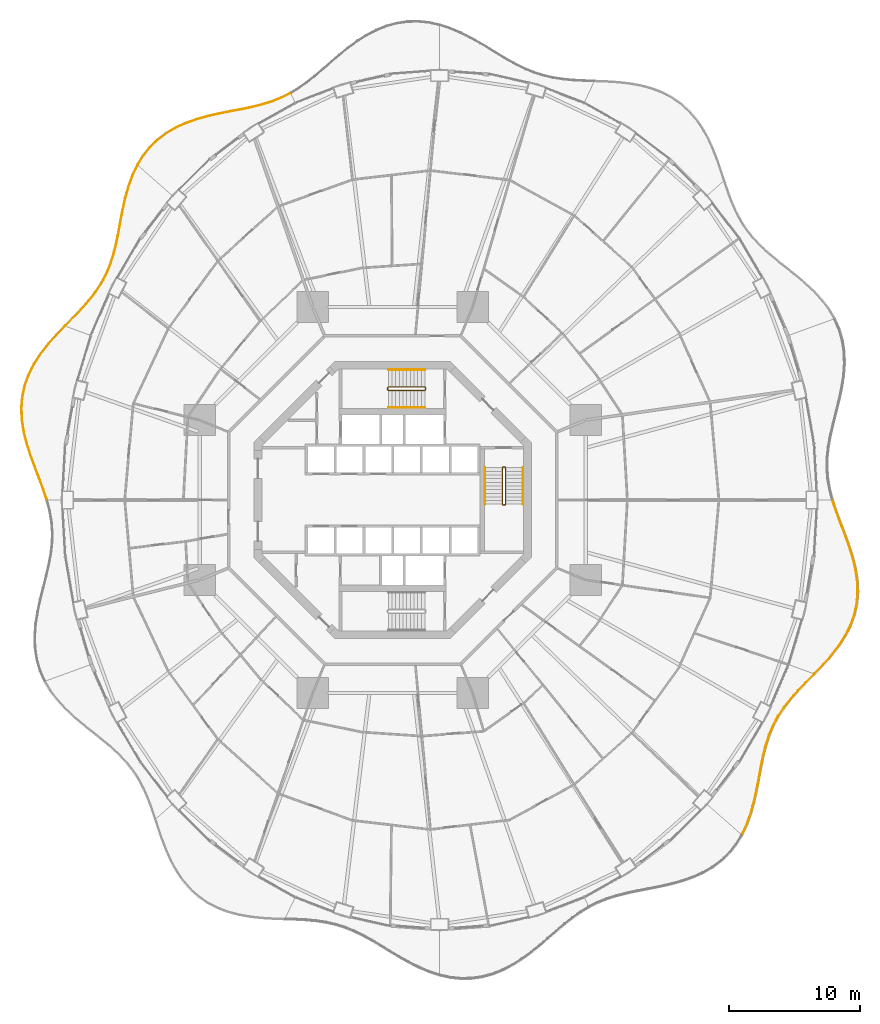
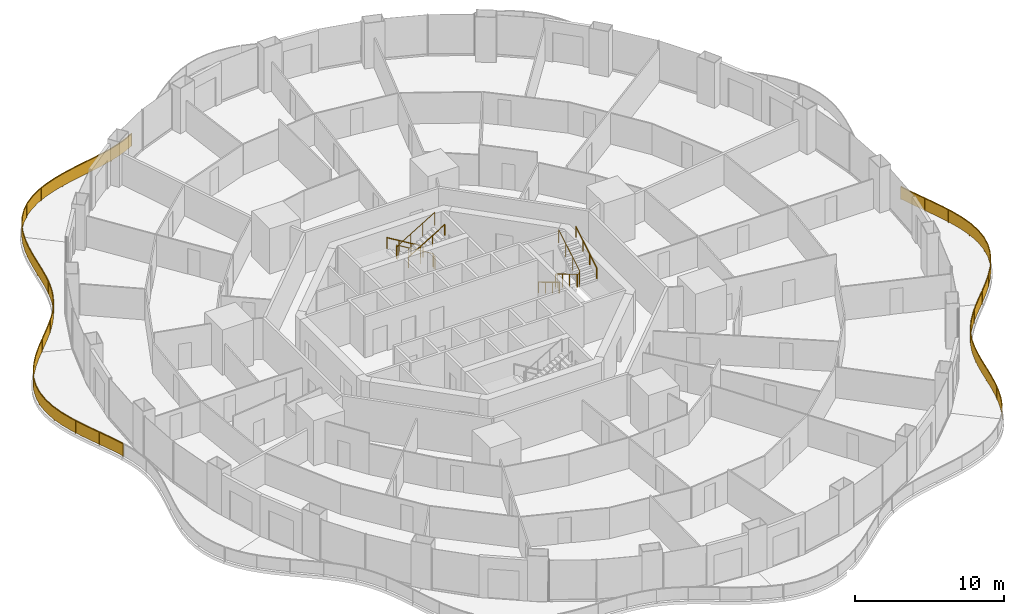
# One storey, part 21 of 22: 11 railings.
"""IFC4 building model written with IfcOpenShell, lengths in metres."""

from ifc_helpers import new_model, si_unit, direction, frame, origin, origin_2d, place, context, subcontext, project, spatial, polyline, rectangle, circle, outline, extrude, material, type_object, element, save


model = new_model("IFC4")

# Units and contexts
model_context = context("Model", 3, precision=1e-05, world=origin(), true_north=direction((0.0, 1.0)))
body_context = subcontext(model_context, "Body", "Model", "MODEL_VIEW")
ifc_project = project(units=[si_unit("LENGTHUNIT", "METRE"), si_unit("AREAUNIT", "SQUARE_METRE"), si_unit("VOLUMEUNIT", "CUBIC_METRE"), si_unit("PLANEANGLEUNIT", "RADIAN"), si_unit("MASSUNIT", "GRAM", prefix="KILO")], contexts=[model_context])

# Site, building, storey
site_placement = place(None, origin())
site = spatial("IfcSite", under=ifc_project, at=site_placement, CompositionType="ELEMENT")
building_placement = place(site_placement, origin())
building = spatial("IfcBuilding", under=site, at=building_placement, Name="Nagisa Residences", CompositionType="ELEMENT")
storey_placement = place(building_placement, frame((0.0, 0.0, 64.0)))
storey = spatial("IfcBuildingStorey", under=building, at=storey_placement, Name="L15", CompositionType="ELEMENT", Elevation=64.0)

# Railings
ifc_material_1 = material(Name="Stainless steel 316", Category="steel")
railing_type_1 = type_object("IfcRailingType", Name="BALCONY GUARD 1100", PredefinedType="BALUSTRADE", material=ifc_material_1)
railing_1_placement = place(storey_placement, frame((-7.846435546875, 31.146728515625, 0.0)))
element("IfcRailing", 1, at=railing_1_placement, inside=storey, type_object=railing_type_1, Name="guard:L15:bal05-0", PredefinedType="BALUSTRADE", context=body_context, shape_type="SweptSolid", body=[
    extrude(outline(polyline([(-0.63720703125, -0.34765625), (0.01123046875, -0.0224609375), (-0.01123046875, 0.0224609375), (-0.65771484375, -0.3017578125), (-1.37255859375, -0.58837890625), (-2.121337890625, -0.8251953125), (-2.90478515625, -1.022705078125), (-3.72021484375, -1.19482421875), (-4.54736328125, -1.3486328125), (-5.405029296875, -1.519287109375), (-6.26708984375, -1.71484375), (-7.1201171875, -1.951171875), (-7.94970703125, -2.24267578125), (-8.72900390625, -2.58935546875), (-9.46875, -3.019775390625), (-10.145263671875, -3.52783203125), (-10.749267578125, -4.1123046875), (-11.275390625, -4.768798828125), (-11.696044921875, -5.4501953125), (-11.653564453125, -5.4765625), (-11.234375, -4.797607421875), (-10.712158203125, -4.14599609375), (-10.112548828125, -3.56591796875), (-9.44091796875, -3.061767578125), (-8.7060546875, -2.6337890625), (-7.93115234375, -2.2890625), (-7.10498046875, -1.9990234375), (-6.2548828125, -1.76318359375), (-5.394775390625, -1.568115234375), (-4.5380859375, -1.39794921875), (-3.71044921875, -1.244140625), (-2.8935546875, -1.071533203125), (-2.107666015625, -0.87353515625), (-1.35546875, -0.6357421875), (-0.63720703125, -0.34765625)])), frame((0.0, 0.0, 1.050048828125)), (0.0, 0.0, 1.0), 0.050048828125),
    extrude(outline(polyline([(-0.64453125, -0.3310546875), (0.003173828125, -0.00634765625), (-0.003173828125, 0.00634765625), (-0.650390625, -0.318359375), (-1.366455078125, -0.60546875), (-2.116455078125, -0.842529296875), (-2.900634765625, -1.040283203125), (-3.716796875, -1.212646484375), (-4.5439453125, -1.366455078125), (-5.4013671875, -1.536865234375), (-6.2626953125, -1.732177734375), (-7.11474609375, -1.968505859375), (-7.943115234375, -2.25927734375), (-8.720703125, -2.605224609375), (-9.458740234375, -3.034912109375), (-10.133544921875, -3.54150390625), (-10.73583984375, -4.12451171875), (-11.260498046875, -4.779052734375), (-11.6806640625, -5.459716796875), (-11.6689453125, -5.467041015625), (-11.249267578125, -4.787353515625), (-10.7255859375, -4.1337890625), (-10.124267578125, -3.55224609375), (-9.450927734375, -3.046630859375), (-8.71435546875, -2.617919921875), (-7.937744140625, -2.2724609375), (-7.1103515625, -1.981689453125), (-6.25927734375, -1.745849609375), (-5.3984375, -1.550537109375), (-4.54150390625, -1.380126953125), (-3.7138671875, -1.226318359375), (-2.897705078125, -1.053955078125), (-2.112548828125, -0.856201171875), (-1.361572265625, -0.61865234375), (-0.64453125, -0.3310546875)])), frame((0.0, 0.0, 0.06005859375)), (0.0, 0.0, 1.0), 0.989990234375),
    extrude(rectangle(XDim=0.0400390625, YDim=0.0400390625, at=origin_2d()), origin(), (0.0, 0.0, 1.0), 1.050048828125),
    extrude(rectangle(XDim=0.0400390625, YDim=0.0400390625, at=origin_2d()), frame((-2.052001953125, -0.82958984375, 0.0)), (0.0, 0.0, 1.0), 1.050048828125),
    extrude(rectangle(XDim=0.0400390625, YDim=0.0400390625, at=origin_2d()), frame((-4.2158203125, -1.3125, 0.0)), (0.0, 0.0, 1.0), 1.050048828125),
    extrude(rectangle(XDim=0.0400390625, YDim=0.0400390625, at=origin_2d()), frame((-6.385009765625, -1.7734375, 0.0)), (0.0, 0.0, 1.0), 1.050048828125),
    extrude(rectangle(XDim=0.0400390625, YDim=0.0400390625, at=origin_2d()), frame((-8.475341796875, -2.50390625, 0.0)), (0.0, 0.0, 1.0), 1.050048828125),
    extrude(rectangle(XDim=0.0400390625, YDim=0.0400390625, at=origin_2d()), frame((-10.3134765625, -3.7255859375, 0.0)), (0.0, 0.0, 1.0), 1.050048828125),
    extrude(rectangle(XDim=0.0400390625, YDim=0.0400390625, at=origin_2d()), frame((-11.6748046875, -5.46337890625, 0.0)), (0.0, 0.0, 1.0), 1.050048828125),
])
railing_2_placement = place(storey_placement, frame((-19.5576171875, 25.615234375, 0.0)))
element("IfcRailing", 2, at=railing_2_placement, inside=storey, type_object=railing_type_1, Name="guard:L15:bal06-0", PredefinedType="BALUSTRADE", context=body_context, shape_type="SweptSolid", body=[
    extrude(outline(polyline([(-0.34130859375, -0.7802734375), (0.022705078125, -0.0107421875), (-0.022705078125, 0.0107421875), (-0.3876953125, -0.76123046875), (-0.698486328125, -1.6201171875), (-0.945556640625, -2.507568359375), (-1.1455078125, -3.4072265625), (-1.3173828125, -4.30419921875), (-1.47265625, -5.172119140625), (-1.6484375, -6.024658203125), (-1.855224609375, -6.84228515625), (-2.10888671875, -7.620361328125), (-2.421630859375, -8.359130859375), (-2.7939453125, -9.048095703125), (-3.2412109375, -9.719970703125), (-3.7529296875, -10.369384765625), (-4.319580078125, -11.006103515625), (-4.92724609375, -11.64111328125), (-5.527099609375, -12.250244140625), (-5.491455078125, -12.285400390625), (-4.89111328125, -11.67578125), (-4.282958984375, -11.040283203125), (-3.71435546875, -10.401611328125), (-3.20068359375, -9.749267578125), (-2.7509765625, -9.073974609375), (-2.376708984375, -8.380615234375), (-2.06201171875, -7.637939453125), (-1.806884765625, -6.85595703125), (-1.599609375, -6.035888671875), (-1.42333984375, -5.181396484375), (-1.26806640625, -4.3134765625), (-1.0966796875, -3.41748046875), (-0.897216796875, -2.519775390625), (-0.650634765625, -1.63525390625), (-0.34130859375, -0.7802734375)])), frame((0.0, 0.0, 1.050048828125)), (0.0, 0.0, 1.0), 0.050048828125),
    extrude(outline(polyline([(-0.358154296875, -0.7734375), (0.00634765625, -0.0029296875), (-0.00634765625, 0.0029296875), (-0.370849609375, -0.76806640625), (-0.68115234375, -1.62548828125), (-0.92822265625, -2.511962890625), (-1.1279296875, -3.410888671875), (-1.299560546875, -4.3076171875), (-1.454833984375, -5.175537109375), (-1.630859375, -6.02880859375), (-1.837890625, -6.84716796875), (-2.092041015625, -7.626708984375), (-2.405517578125, -8.366943359375), (-2.778564453125, -9.057373046875), (-3.2265625, -9.73046875), (-3.739013671875, -10.381103515625), (-4.306396484375, -11.0185546875), (-4.914306640625, -11.653564453125), (-5.51416015625, -12.262939453125), (-5.50439453125, -12.272705078125), (-4.904052734375, -11.663330078125), (-4.296142578125, -11.02783203125), (-3.728271484375, -10.389892578125), (-3.21533203125, -9.73876953125), (-2.766357421875, -9.064697265625), (-2.392822265625, -8.372802734375), (-2.078857421875, -7.631591796875), (-1.82421875, -6.85107421875), (-1.6171875, -6.03173828125), (-1.441162109375, -5.177978515625), (-1.285888671875, -4.31005859375), (-1.1142578125, -3.413818359375), (-0.91455078125, -2.515380859375), (-0.66796875, -1.6298828125), (-0.358154296875, -0.7734375)])), frame((0.0, 0.0, 0.06005859375)), (0.0, 0.0, 1.0), 0.989990234375),
    extrude(rectangle(XDim=0.0400390625, YDim=0.0400390625, at=origin_2d()), origin(), (0.0, 0.0, 1.0), 1.050048828125),
    extrude(rectangle(XDim=0.0400390625, YDim=0.0400390625, at=origin_2d()), frame((-0.816162109375, -2.13623046875, 0.0)), (0.0, 0.0, 1.0), 1.050048828125),
    extrude(rectangle(XDim=0.0400390625, YDim=0.0400390625, at=origin_2d()), frame((-1.304443359375, -4.37451171875, 0.0)), (0.0, 0.0, 1.0), 1.050048828125),
    extrude(rectangle(XDim=0.0400390625, YDim=0.0400390625, at=origin_2d()), frame((-1.7724609375, -6.6171875, 0.0)), (0.0, 0.0, 1.0), 1.050048828125),
    extrude(rectangle(XDim=0.0400390625, YDim=0.0400390625, at=origin_2d()), frame((-2.6025390625, -8.746337890625, 0.0)), (0.0, 0.0, 1.0), 1.050048828125),
    extrude(rectangle(XDim=0.0400390625, YDim=0.0400390625, at=origin_2d()), frame((-3.9306640625, -10.60693359375, 0.0)), (0.0, 0.0, 1.0), 1.050048828125),
    extrude(rectangle(XDim=0.0400390625, YDim=0.0400390625, at=origin_2d()), frame((-5.50927734375, -12.267822265625, 0.0)), (0.0, 0.0, 1.0), 1.050048828125),
])
railing_3_placement = place(storey_placement, frame((-25.12109375, 13.293701171875, 0.0)))
element("IfcRailing", 3, at=railing_3_placement, inside=storey, type_object=railing_type_1, Name="guard:L15:bal07-0", PredefinedType="BALUSTRADE", context=body_context, shape_type="SweptSolid", body=[
    extrude(outline(polyline([(-0.60302734375, -0.6640625), (0.01806640625, -0.017333984375), (-0.01806640625, 0.017333984375), (-0.6396484375, -0.6298828125), (-1.266845703125, -1.337646484375), (-1.844482421875, -2.07763671875), (-2.349853515625, -2.853515625), (-2.7626953125, -3.66455078125), (-3.0654296875, -4.4951171875), (-3.255615234375, -5.3671875), (-3.32763671875, -6.260009765625), (-3.287109375, -7.165771484375), (-3.1455078125, -8.07666015625), (-2.918701171875, -8.970458984375), (-2.632080078125, -9.86865234375), (-2.309326171875, -10.7529296875), (-1.976806640625, -11.620849609375), (-1.66064453125, -12.4716796875), (-1.396240234375, -13.267333984375), (-1.348876953125, -13.251708984375), (-1.61328125, -12.455078125), (-1.929931640625, -11.603271484375), (-2.262451171875, -10.7353515625), (-2.584716796875, -9.8525390625), (-2.870361328125, -8.956787109375), (-3.09619140625, -8.06640625), (-3.2373046875, -7.160888671875), (-3.27734375, -6.260986328125), (-3.205810546875, -5.37451171875), (-3.01708984375, -4.50927734375), (-2.716796875, -3.6845703125), (-2.306396484375, -2.87841796875), (-1.803955078125, -2.10693359375), (-1.228271484375, -1.369873046875), (-0.60302734375, -0.6640625)])), frame((0.0, 0.0, 1.050048828125)), (0.0, 0.0, 1.0), 0.050048828125),
    extrude(outline(polyline([(-0.6162109375, -0.651611328125), (0.005126953125, -0.0048828125), (-0.005126953125, 0.0048828125), (-0.62646484375, -0.642333984375), (-1.2529296875, -1.349365234375), (-1.829833984375, -2.088134765625), (-2.334228515625, -2.862548828125), (-2.74609375, -3.671875), (-3.048095703125, -4.500244140625), (-3.237548828125, -5.369873046875), (-3.3095703125, -6.26025390625), (-3.269287109375, -7.1640625), (-3.127685546875, -8.072998046875), (-2.9013671875, -8.965576171875), (-2.614990234375, -9.86279296875), (-2.29248046875, -10.74658203125), (-1.9599609375, -11.614501953125), (-1.6435546875, -12.4658203125), (-1.379150390625, -13.26171875), (-1.365966796875, -13.25732421875), (-1.63037109375, -12.4609375), (-1.94677734375, -11.609619140625), (-2.279296875, -10.74169921875), (-2.601806640625, -9.8583984375), (-2.8876953125, -8.961669921875), (-3.114013671875, -8.070068359375), (-3.255126953125, -7.16259765625), (-3.29541015625, -6.2607421875), (-3.223876953125, -5.371826171875), (-3.034423828125, -4.504150390625), (-2.7333984375, -3.67724609375), (-2.322021484375, -2.869384765625), (-1.818603515625, -2.096435546875), (-1.2421875, -1.358154296875), (-0.6162109375, -0.651611328125)])), frame((0.0, 0.0, 0.06005859375)), (0.0, 0.0, 1.0), 0.989990234375),
    extrude(rectangle(XDim=0.0400390625, YDim=0.0400390625, at=origin_2d()), origin(), (0.0, 0.0, 1.0), 1.050048828125),
    extrude(rectangle(XDim=0.0400390625, YDim=0.0400390625, at=origin_2d()), frame((-1.3955078125, -1.54345703125, 0.0)), (0.0, 0.0, 1.0), 1.050048828125),
    extrude(rectangle(XDim=0.0400390625, YDim=0.0400390625, at=origin_2d()), frame((-2.537841796875, -3.27783203125, 0.0)), (0.0, 0.0, 1.0), 1.050048828125),
    extrude(rectangle(XDim=0.0400390625, YDim=0.0400390625, at=origin_2d()), frame((-3.202392578125, -5.24072265625, 0.0)), (0.0, 0.0, 1.0), 1.050048828125),
    extrude(rectangle(XDim=0.0400390625, YDim=0.0400390625, at=origin_2d()), frame((-3.23876953125, -7.31396484375, 0.0)), (0.0, 0.0, 1.0), 1.050048828125),
    extrude(rectangle(XDim=0.0400390625, YDim=0.0400390625, at=origin_2d()), frame((-2.774658203125, -9.33984375, 0.0)), (0.0, 0.0, 1.0), 1.050048828125),
    extrude(rectangle(XDim=0.0400390625, YDim=0.0400390625, at=origin_2d()), frame((-2.0732421875, -11.299560546875, 0.0)), (0.0, 0.0, 1.0), 1.050048828125),
    extrude(rectangle(XDim=0.0400390625, YDim=0.0400390625, at=origin_2d()), frame((-1.37255859375, -13.259521484375, 0.0)), (0.0, 0.0, 1.0), 1.050048828125),
])
railing_4_placement = place(storey_placement, frame((26.7578125, -25.615234375, 0.0)))
element("IfcRailing", 4, at=railing_4_placement, inside=storey, type_object=railing_type_1, Name="guard:L15:bal14-0", PredefinedType="BALUSTRADE", context=body_context, shape_type="SweptSolid", body=[
    extrude(outline(polyline([(0.341064453125, 0.7802734375), (-0.022705078125, 0.0107421875), (0.022705078125, -0.0107421875), (0.387451171875, 0.76123046875), (0.6982421875, 1.6201171875), (0.9453125, 2.507568359375), (1.145263671875, 3.4072265625), (1.317138671875, 4.30419921875), (1.472412109375, 5.172119140625), (1.648193359375, 6.024658203125), (1.855224609375, 6.84228515625), (2.108642578125, 7.620361328125), (2.42138671875, 8.359130859375), (2.7939453125, 9.048095703125), (3.240966796875, 9.719970703125), (3.752685546875, 10.369384765625), (4.3193359375, 11.006103515625), (4.927001953125, 11.64111328125), (5.52685546875, 12.250244140625), (5.4912109375, 12.285400390625), (4.890869140625, 11.67578125), (4.28271484375, 11.040283203125), (3.714111328125, 10.401611328125), (3.200439453125, 9.749267578125), (2.7509765625, 9.073974609375), (2.37646484375, 8.380615234375), (2.061767578125, 7.637939453125), (1.806884765625, 6.85595703125), (1.599365234375, 6.035888671875), (1.423095703125, 5.181396484375), (1.267822265625, 4.3134765625), (1.096435546875, 3.41748046875), (0.89697265625, 2.519775390625), (0.650390625, 1.63525390625), (0.341064453125, 0.7802734375)])), frame((0.0, 0.0, 1.050048828125)), (0.0, 0.0, 1.0), 0.050048828125),
    extrude(outline(polyline([(0.357666015625, 0.7734375), (-0.00634765625, 0.0029296875), (0.00634765625, -0.0029296875), (0.370849609375, 0.76806640625), (0.680908203125, 1.62548828125), (0.927978515625, 2.511962890625), (1.127685546875, 3.410888671875), (1.29931640625, 4.3076171875), (1.45458984375, 5.175537109375), (1.630615234375, 6.02880859375), (1.837890625, 6.84716796875), (2.091796875, 7.626708984375), (2.4052734375, 8.366943359375), (2.778564453125, 9.057373046875), (3.226318359375, 9.73046875), (3.73876953125, 10.381103515625), (4.30615234375, 11.0185546875), (4.9140625, 11.653564453125), (5.513916015625, 12.262939453125), (5.504150390625, 12.272705078125), (4.90380859375, 11.663330078125), (4.2958984375, 11.02783203125), (3.72802734375, 10.389892578125), (3.215087890625, 9.73876953125), (2.766357421875, 9.064697265625), (2.392578125, 8.372802734375), (2.07861328125, 7.631591796875), (1.82421875, 6.85107421875), (1.616943359375, 6.03173828125), (1.44091796875, 5.177978515625), (1.28564453125, 4.31005859375), (1.114013671875, 3.413818359375), (0.914306640625, 2.515380859375), (0.667724609375, 1.6298828125), (0.357666015625, 0.7734375)])), frame((0.0, 0.0, 0.06005859375)), (0.0, 0.0, 1.0), 0.989990234375),
    extrude(rectangle(XDim=0.0400390625, YDim=0.0400390625, at=origin_2d()), origin(), (0.0, 0.0, 1.0), 1.050048828125),
    extrude(rectangle(XDim=0.0400390625, YDim=0.0400390625, at=origin_2d()), frame((0.81591796875, 2.136474609375, 0.0)), (0.0, 0.0, 1.0), 1.050048828125),
    extrude(rectangle(XDim=0.0400390625, YDim=0.0400390625, at=origin_2d()), frame((1.30419921875, 4.37451171875, 0.0)), (0.0, 0.0, 1.0), 1.050048828125),
    extrude(rectangle(XDim=0.0400390625, YDim=0.0400390625, at=origin_2d()), frame((1.7724609375, 6.6171875, 0.0)), (0.0, 0.0, 1.0), 1.050048828125),
    extrude(rectangle(XDim=0.0400390625, YDim=0.0400390625, at=origin_2d()), frame((2.602294921875, 8.746337890625, 0.0)), (0.0, 0.0, 1.0), 1.050048828125),
    extrude(rectangle(XDim=0.0400390625, YDim=0.0400390625, at=origin_2d()), frame((3.930419921875, 10.60693359375, 0.0)), (0.0, 0.0, 1.0), 1.050048828125),
    extrude(rectangle(XDim=0.0400390625, YDim=0.0400390625, at=origin_2d()), frame((5.509033203125, 12.267822265625, 0.0)), (0.0, 0.0, 1.0), 1.050048828125),
])
railing_5_placement = place(storey_placement, frame((32.321044921875, -13.293701171875, 0.0)))
element("IfcRailing", 5, at=railing_5_placement, inside=storey, type_object=railing_type_1, Name="guard:L15:bal15-0", PredefinedType="BALUSTRADE", context=body_context, shape_type="SweptSolid", body=[
    extrude(outline(polyline([(0.603271484375, 0.6640625), (-0.01806640625, 0.017333984375), (0.01806640625, -0.017333984375), (0.639892578125, 0.6298828125), (1.266845703125, 1.337646484375), (1.844482421875, 2.07763671875), (2.349853515625, 2.853515625), (2.7626953125, 3.66455078125), (3.065673828125, 4.4951171875), (3.255615234375, 5.3671875), (3.327880859375, 6.260009765625), (3.287109375, 7.165771484375), (3.1455078125, 8.07666015625), (2.918701171875, 8.970458984375), (2.632080078125, 9.86865234375), (2.309326171875, 10.7529296875), (1.976806640625, 11.620849609375), (1.66064453125, 12.4716796875), (1.396240234375, 13.267333984375), (1.348876953125, 13.251708984375), (1.61328125, 12.455078125), (1.929931640625, 11.603271484375), (2.262451171875, 10.7353515625), (2.584716796875, 9.8525390625), (2.870361328125, 8.956787109375), (3.09619140625, 8.06640625), (3.2373046875, 7.160888671875), (3.277587890625, 6.260986328125), (3.205810546875, 5.37451171875), (3.017333984375, 4.50927734375), (2.716796875, 3.6845703125), (2.306396484375, 2.87841796875), (1.803955078125, 2.10693359375), (1.228271484375, 1.369873046875), (0.603271484375, 0.6640625)])), frame((0.0, 0.0, 1.050048828125)), (0.0, 0.0, 1.0), 0.050048828125),
    extrude(outline(polyline([(0.616455078125, 0.651611328125), (-0.005126953125, 0.0048828125), (0.005126953125, -0.0048828125), (0.626708984375, 0.642333984375), (1.2529296875, 1.349365234375), (1.829833984375, 2.088134765625), (2.334228515625, 2.862548828125), (2.74609375, 3.671875), (3.04833984375, 4.500244140625), (3.237548828125, 5.369873046875), (3.309814453125, 6.26025390625), (3.269287109375, 7.1640625), (3.127685546875, 8.072998046875), (2.9013671875, 8.965576171875), (2.614990234375, 9.86279296875), (2.29248046875, 10.74658203125), (1.9599609375, 11.614501953125), (1.6435546875, 12.4658203125), (1.379150390625, 13.26171875), (1.365966796875, 13.25732421875), (1.63037109375, 12.4609375), (1.94677734375, 11.609619140625), (2.279296875, 10.74169921875), (2.601806640625, 9.8583984375), (2.8876953125, 8.961669921875), (3.114013671875, 8.070068359375), (3.255126953125, 7.16259765625), (3.295654296875, 6.2607421875), (3.223876953125, 5.371826171875), (3.03466796875, 4.504150390625), (2.7333984375, 3.67724609375), (2.322021484375, 2.869384765625), (1.818603515625, 2.096435546875), (1.2421875, 1.358154296875), (0.616455078125, 0.651611328125)])), frame((0.0, 0.0, 0.06005859375)), (0.0, 0.0, 1.0), 0.989990234375),
    extrude(rectangle(XDim=0.0400390625, YDim=0.0400390625, at=origin_2d()), origin(), (0.0, 0.0, 1.0), 1.050048828125),
    extrude(rectangle(XDim=0.0400390625, YDim=0.0400390625, at=origin_2d()), frame((1.3955078125, 1.54345703125, 0.0)), (0.0, 0.0, 1.0), 1.050048828125),
    extrude(rectangle(XDim=0.0400390625, YDim=0.0400390625, at=origin_2d()), frame((2.537841796875, 3.27783203125, 0.0)), (0.0, 0.0, 1.0), 1.050048828125),
    extrude(rectangle(XDim=0.0400390625, YDim=0.0400390625, at=origin_2d()), frame((3.202392578125, 5.24072265625, 0.0)), (0.0, 0.0, 1.0), 1.050048828125),
    extrude(rectangle(XDim=0.0400390625, YDim=0.0400390625, at=origin_2d()), frame((3.23876953125, 7.31396484375, 0.0)), (0.0, 0.0, 1.0), 1.050048828125),
    extrude(rectangle(XDim=0.0400390625, YDim=0.0400390625, at=origin_2d()), frame((2.774658203125, 9.33984375, 0.0)), (0.0, 0.0, 1.0), 1.050048828125),
    extrude(rectangle(XDim=0.0400390625, YDim=0.0400390625, at=origin_2d()), frame((2.0732421875, 11.29931640625, 0.0)), (0.0, 0.0, 1.0), 1.050048828125),
    extrude(rectangle(XDim=0.0400390625, YDim=0.0400390625, at=origin_2d()), frame((1.37255859375, 13.259521484375, 0.0)), (0.0, 0.0, 1.0), 1.050048828125),
])
ifc_material_2 = material(Name="Stainless steel", Category="steel")
railing_type_2 = type_object("IfcRailingType", Name="Stair guard 1100", PredefinedType="GUARDRAIL", material=ifc_material_2)
railing_6_placement = place(storey_placement, frame((8.599609375, 2.52490234375, 0.0)))
element("IfcRailing", 6, at=railing_6_placement, inside=storey, type_object=railing_type_2, Name="L15 ST-E stair guard 1", PredefinedType="GUARDRAIL", context=body_context, shape_type="SweptSolid", body=[
    extrude(circle(Radius=0.02392578125, at=origin_2d()), frame((0.0, 0.0, 1.076171875), z_axis=(-1.0, 0.0, 0.0), x_axis=(0.0, -1.0, 0.0)), (0.0, 0.0, 1.0), 0.14990234375),
    extrude(circle(Radius=0.02392578125, at=origin_2d()), frame((-0.14990234375, 0.0, 1.076171875), z_axis=(-0.27434429532, -0.273006030465, 0.922064485248), x_axis=(0.705375805398, -0.708833529934, 0.0)), (0.0, 0.0, 1.0), 0.182373046875),
    extrude(circle(Radius=0.02392578125, at=origin_2d()), frame((-0.199951171875, -0.0498046875, 1.244140625), z_axis=(0.0, -0.857242210791, 0.514913383045), x_axis=(1.0, 0.0, 0.0)), (0.0, 0.0, 1.0), 3.266357421875),
    extrude(circle(Radius=0.02392578125, at=origin_2d()), frame((-0.199951171875, -2.849853515625, 2.92626953125), z_axis=(0.707106781187, -0.707106781187, 0.0), x_axis=(0.707106781187, 0.707106781187, 0.0)), (0.0, 0.0, 1.0), 0.07080078125),
    extrude(circle(Radius=0.02392578125, at=origin_2d()), frame((-0.14990234375, -2.89990234375, 2.92626953125), z_axis=(1.0, 0.0, 0.0), x_axis=(0.0, 1.0, 0.0)), (0.0, 0.0, 1.0), 0.14990234375),
    extrude(circle(Radius=0.02392578125, at=origin_2d()), frame((0.0, -2.89990234375, 2.92626953125), z_axis=(0.274582412415, 0.274582412415, 0.921525364591), x_axis=(-0.707106781187, 0.707106781187, 0.0)), (0.0, 0.0, 1.0), 0.182373046875),
    extrude(circle(Radius=0.02392578125, at=origin_2d()), frame((0.050048828125, -2.849853515625, 3.09423828125), z_axis=(0.0, 0.857242210791, 0.514913383045), x_axis=(-1.0, 0.0, 0.0)), (0.0, 0.0, 1.0), 3.266357421875),
    extrude(circle(Radius=0.02099609375, at=origin_2d()), origin(), (0.0, 0.0, 1.0), 1.052001953125),
    extrude(circle(Radius=0.02099609375, at=origin_2d()), frame((-0.14990234375, 0.0, 0.0)), (0.0, 0.0, 1.0), 1.052001953125),
    extrude(circle(Radius=0.02099609375, at=origin_2d()), frame((-0.199951171875, -0.0498046875, 0.168212890625)), (0.0, 0.0, 1.0), 1.052001953125),
    extrude(circle(Radius=0.02099609375, at=origin_2d()), frame((-0.199951171875, -0.983154296875, 0.728759765625)), (0.0, 0.0, 1.0), 1.052001953125),
    extrude(circle(Radius=0.02099609375, at=origin_2d()), frame((-0.199951171875, -1.91650390625, 1.28955078125)), (0.0, 0.0, 1.0), 1.052001953125),
    extrude(circle(Radius=0.02099609375, at=origin_2d()), frame((-0.199951171875, -2.849853515625, 1.85009765625)), (0.0, 0.0, 1.0), 1.052001953125),
    extrude(circle(Radius=0.02099609375, at=origin_2d()), frame((-0.14990234375, -2.89990234375, 1.85009765625)), (0.0, 0.0, 1.0), 1.052001953125),
    extrude(circle(Radius=0.02099609375, at=origin_2d()), frame((0.0, -2.89990234375, 1.85009765625)), (0.0, 0.0, 1.0), 1.052001953125),
    extrude(circle(Radius=0.02099609375, at=origin_2d()), frame((0.050048828125, -2.849853515625, 2.01806640625)), (0.0, 0.0, 1.0), 1.052001953125),
    extrude(circle(Radius=0.02099609375, at=origin_2d()), frame((0.050048828125, -1.91650390625, 2.57861328125)), (0.0, 0.0, 1.0), 1.052001953125),
    extrude(circle(Radius=0.02099609375, at=origin_2d()), frame((0.050048828125, -0.983154296875, 3.139404296875)), (0.0, 0.0, 1.0), 1.052001953125),
    extrude(circle(Radius=0.02099609375, at=origin_2d()), frame((0.050048828125, -0.0498046875, 3.699951171875)), (0.0, 0.0, 1.0), 1.052001953125),
])
railing_7_placement = place(storey_placement, frame((2.52490234375, 8.44970703125, 0.0)))
element("IfcRailing", 7, at=railing_7_placement, inside=storey, type_object=railing_type_2, Name="L15 ST-N stair guard 1", PredefinedType="GUARDRAIL", context=body_context, shape_type="SweptSolid", body=[
    extrude(circle(Radius=0.02392578125, at=origin_2d()), frame((0.0, 0.0, 1.076171875), z_axis=(0.0, 1.0, 0.0), x_axis=(-1.0, 0.0, 0.0)), (0.0, 0.0, 1.0), 0.14990234375),
    extrude(circle(Radius=0.02392578125, at=origin_2d()), frame((0.0, 0.14990234375, 1.076171875), z_axis=(-0.273006030465, 0.27434429532, 0.922064485248), x_axis=(-0.708833529934, -0.705375805398, 0.0)), (0.0, 0.0, 1.0), 0.182373046875),
    extrude(circle(Radius=0.02392578125, at=origin_2d()), frame((-0.0498046875, 0.199951171875, 1.244140625), z_axis=(-0.857242210791, 0.0, 0.514913383045), x_axis=(0.0, -1.0, 0.0)), (0.0, 0.0, 1.0), 3.266357421875),
    extrude(circle(Radius=0.02392578125, at=origin_2d()), frame((-2.849853515625, 0.199951171875, 2.92626953125), z_axis=(-0.707106781187, -0.707106781187, 0.0), x_axis=(0.707106781187, -0.707106781187, 0.0)), (0.0, 0.0, 1.0), 0.07080078125),
    extrude(circle(Radius=0.02392578125, at=origin_2d()), frame((-2.89990234375, 0.14990234375, 2.92626953125), z_axis=(0.0, -1.0, 0.0), x_axis=(1.0, 0.0, 0.0)), (0.0, 0.0, 1.0), 0.14990234375),
    extrude(circle(Radius=0.02392578125, at=origin_2d()), frame((-2.89990234375, 0.0, 2.92626953125), z_axis=(0.274582412415, -0.274582412415, 0.921525364591), x_axis=(0.707106781187, 0.707106781187, 0.0)), (0.0, 0.0, 1.0), 0.182373046875),
    extrude(circle(Radius=0.02392578125, at=origin_2d()), frame((-2.849853515625, -0.050048828125, 3.09423828125), z_axis=(0.857242210791, 0.0, 0.514913383045), x_axis=(0.0, 1.0, 0.0)), (0.0, 0.0, 1.0), 3.266357421875),
    extrude(circle(Radius=0.02099609375, at=origin_2d()), origin(), (0.0, 0.0, 1.0), 1.052001953125),
    extrude(circle(Radius=0.02099609375, at=origin_2d()), frame((0.0, 0.14990234375, 0.0)), (0.0, 0.0, 1.0), 1.052001953125),
    extrude(circle(Radius=0.02099609375, at=origin_2d()), frame((-0.0498046875, 0.199951171875, 0.168212890625)), (0.0, 0.0, 1.0), 1.052001953125),
    extrude(circle(Radius=0.02099609375, at=origin_2d()), frame((-0.983154296875, 0.199951171875, 0.728759765625)), (0.0, 0.0, 1.0), 1.052001953125),
    extrude(circle(Radius=0.02099609375, at=origin_2d()), frame((-1.91650390625, 0.199951171875, 1.28955078125)), (0.0, 0.0, 1.0), 1.052001953125),
    extrude(circle(Radius=0.02099609375, at=origin_2d()), frame((-2.849853515625, 0.199951171875, 1.85009765625)), (0.0, 0.0, 1.0), 1.052001953125),
    extrude(circle(Radius=0.02099609375, at=origin_2d()), frame((-2.89990234375, 0.14990234375, 1.85009765625)), (0.0, 0.0, 1.0), 1.052001953125),
    extrude(circle(Radius=0.02099609375, at=origin_2d()), frame((-2.89990234375, 0.0, 1.85009765625)), (0.0, 0.0, 1.0), 1.052001953125),
    extrude(circle(Radius=0.02099609375, at=origin_2d()), frame((-2.849853515625, -0.050048828125, 2.01806640625)), (0.0, 0.0, 1.0), 1.052001953125),
    extrude(circle(Radius=0.02099609375, at=origin_2d()), frame((-1.91650390625, -0.050048828125, 2.57861328125)), (0.0, 0.0, 1.0), 1.052001953125),
    extrude(circle(Radius=0.02099609375, at=origin_2d()), frame((-0.983154296875, -0.050048828125, 3.139404296875)), (0.0, 0.0, 1.0), 1.052001953125),
    extrude(circle(Radius=0.02099609375, at=origin_2d()), frame((-0.0498046875, -0.050048828125, 3.699951171875)), (0.0, 0.0, 1.0), 1.052001953125),
])
ifc_material_3 = material(Name="Stainless steel", Category="steel")
railing_type_3 = type_object("IfcRailingType", Name="Stair handrail 900", PredefinedType="HANDRAIL", material=ifc_material_3)
railing_8_placement = place(storey_placement, frame((7.07470703125, 2.47509765625, 0.168212890625)))
element("IfcRailing", 8, at=railing_8_placement, inside=storey, type_object=railing_type_3, Name="L15 ST-E stair handrail 1", PredefinedType="HANDRAIL", context=body_context, shape_type="SweptSolid", body=[
    extrude(circle(Radius=0.02392578125, at=origin_2d()), frame((0.0, 0.0, 0.8759765625), z_axis=(0.0, -0.857242210791, 0.514913383045), x_axis=(1.0, 0.0, 0.0)), (0.0, 0.0, 1.0), 3.266357421875),
    extrude(circle(Radius=0.02099609375, at=origin_2d()), origin(), (0.0, 0.0, 1.0), 0.851806640625),
    extrude(circle(Radius=0.02099609375, at=origin_2d()), frame((0.0, -0.933349609375, 0.560546875)), (0.0, 0.0, 1.0), 0.851806640625),
    extrude(circle(Radius=0.02099609375, at=origin_2d()), frame((0.0, -1.86669921875, 1.121337890625)), (0.0, 0.0, 1.0), 0.851806640625),
    extrude(circle(Radius=0.02099609375, at=origin_2d()), frame((0.0, -2.800048828125, 1.681884765625)), (0.0, 0.0, 1.0), 0.851806640625),
])
railing_9_placement = place(storey_placement, frame((9.974609375, -0.324951171875, 2.01806640625)))
element("IfcRailing", 9, at=railing_9_placement, inside=storey, type_object=railing_type_3, Name="L15 ST-E stair handrail 2", PredefinedType="HANDRAIL", context=body_context, shape_type="SweptSolid", body=[
    extrude(circle(Radius=0.02392578125, at=origin_2d()), frame((0.0, 0.0, 0.8759765625), z_axis=(0.0, 0.857242210791, 0.514913383045), x_axis=(-1.0, 0.0, 0.0)), (0.0, 0.0, 1.0), 3.266357421875),
    extrude(circle(Radius=0.02099609375, at=origin_2d()), origin(), (0.0, 0.0, 1.0), 0.851806640625),
    extrude(circle(Radius=0.02099609375, at=origin_2d()), frame((0.0, 0.933349609375, 0.560546875)), (0.0, 0.0, 1.0), 0.851806640625),
    extrude(circle(Radius=0.02099609375, at=origin_2d()), frame((0.0, 1.86669921875, 1.121337890625)), (0.0, 0.0, 1.0), 0.851806640625),
    extrude(circle(Radius=0.02099609375, at=origin_2d()), frame((0.0, 2.800048828125, 1.681884765625)), (0.0, 0.0, 1.0), 0.851806640625),
])
railing_10_placement = place(storey_placement, frame((2.47509765625, 9.974609375, 0.168212890625)))
element("IfcRailing", 10, at=railing_10_placement, inside=storey, type_object=railing_type_3, Name="L15 ST-N stair handrail 1", PredefinedType="HANDRAIL", context=body_context, shape_type="SweptSolid", body=[
    extrude(circle(Radius=0.02392578125, at=origin_2d()), frame((0.0, 0.0, 0.8759765625), z_axis=(-0.857242210791, 0.0, 0.514913383045), x_axis=(0.0, -1.0, 0.0)), (0.0, 0.0, 1.0), 3.266357421875),
    extrude(circle(Radius=0.02099609375, at=origin_2d()), origin(), (0.0, 0.0, 1.0), 0.851806640625),
    extrude(circle(Radius=0.02099609375, at=origin_2d()), frame((-0.933349609375, 0.0, 0.560546875)), (0.0, 0.0, 1.0), 0.851806640625),
    extrude(circle(Radius=0.02099609375, at=origin_2d()), frame((-1.86669921875, 0.0, 1.121337890625)), (0.0, 0.0, 1.0), 0.851806640625),
    extrude(circle(Radius=0.02099609375, at=origin_2d()), frame((-2.800048828125, 0.0, 1.681884765625)), (0.0, 0.0, 1.0), 0.851806640625),
])
railing_11_placement = place(storey_placement, frame((-0.324951171875, 7.07470703125, 2.01806640625)))
element("IfcRailing", 11, at=railing_11_placement, inside=storey, type_object=railing_type_3, Name="L15 ST-N stair handrail 2", PredefinedType="HANDRAIL", context=body_context, shape_type="SweptSolid", body=[
    extrude(circle(Radius=0.02392578125, at=origin_2d()), frame((0.0, 0.0, 0.8759765625), z_axis=(0.857242210791, 0.0, 0.514913383045), x_axis=(0.0, 1.0, 0.0)), (0.0, 0.0, 1.0), 3.266357421875),
    extrude(circle(Radius=0.02099609375, at=origin_2d()), origin(), (0.0, 0.0, 1.0), 0.851806640625),
    extrude(circle(Radius=0.02099609375, at=origin_2d()), frame((0.933349609375, 0.0, 0.560546875)), (0.0, 0.0, 1.0), 0.851806640625),
    extrude(circle(Radius=0.02099609375, at=origin_2d()), frame((1.86669921875, 0.0, 1.121337890625)), (0.0, 0.0, 1.0), 0.851806640625),
    extrude(circle(Radius=0.02099609375, at=origin_2d()), frame((2.800048828125, 0.0, 1.681884765625)), (0.0, 0.0, 1.0), 0.851806640625),
])

save(model, "model.ifc")
